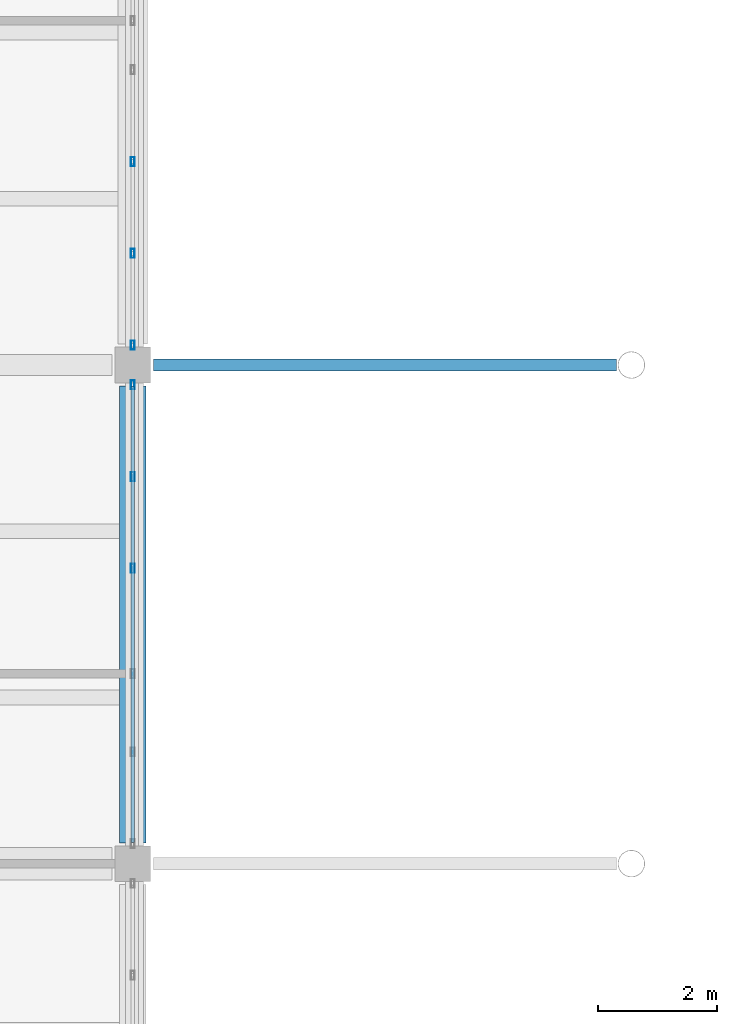
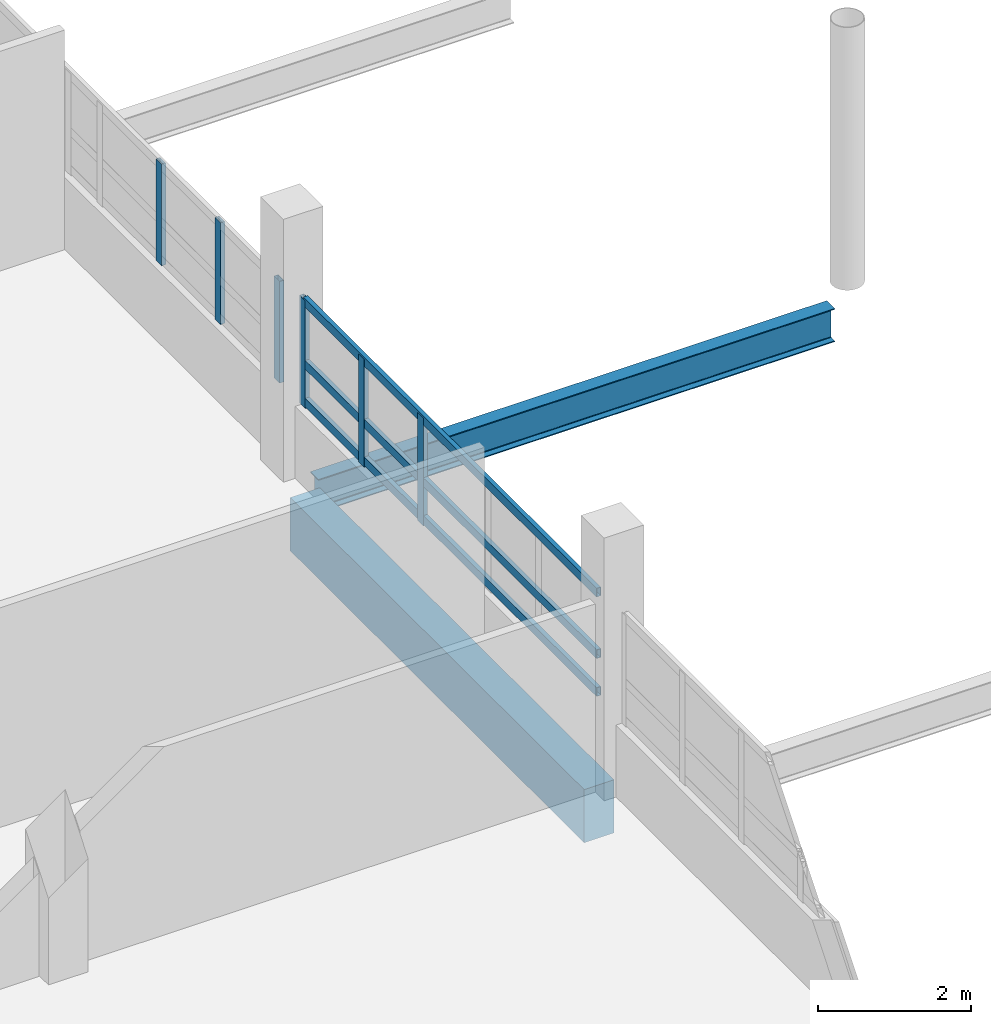
# One storey, part 45 of 101: 9 members, 2 beams, 2 elements without a shape of their own.
"""IFC4 building model written with IfcOpenShell, lengths in metres."""

import ifcopenshell
import ifcopenshell.guid

model = None  # the IFC model being written
_history = None  # IfcOwnerHistory: only IFC2X3 demands one
_inside = {}  # id of a spatial element -> (the spatial element, [elements in it])
_under = {}  # id of a project, library or spatial element -> (it, [spatial elements below it])
_declared = {}  # id of a project -> (the project, [libraries it declares])
_typed = {}  # id of a type object -> (the type object, [elements of that type])
_made_of = {}  # id of a material, layer set ... -> (it, [elements and type objects made of it])


def new_model(schema):
    """Start an empty IFC model of exactly this schema.

    Asked for "IFC4X3", IfcOpenShell would pick the latest addendum, in which some entities
    have other attributes; the version numbers below select the first issue.
    IFC2X3 requires an IfcOwnerHistory on every rooted entity: one is made here for all.
    """
    global model, _history
    if schema == "IFC4X3":
        model = ifcopenshell.file(schema_version=(4, 3, 0, 0))
    else:
        model = ifcopenshell.file(schema=schema)
    _inside.clear()
    _under.clear()
    _declared.clear()
    _typed.clear()
    _made_of.clear()
    _history = None
    if model.schema == "IFC2X3":
        org = make("IfcOrganization", Name="unknown")
        user = make(
            "IfcPersonAndOrganization",
            ThePerson=make("IfcPerson", FamilyName="unknown"),
            TheOrganization=org,
        )
        app = make(
            "IfcApplication",
            ApplicationDeveloper=org,
            Version="unknown",
            ApplicationFullName="unknown",
            ApplicationIdentifier="unknown",
        )
        _history = make(
            "IfcOwnerHistory",
            OwningUser=user,
            OwningApplication=app,
            ChangeAction="ADDED",
            CreationDate=0,
        )
    return model


def make(cls, **values):
    """One entity of the class cls with the attributes given. An attribute that is None is left unset."""
    return model.create_entity(
        cls, **{name: value for name, value in values.items() if value is not None}
    )


def rooted(cls, **values):
    """An entity with a GlobalId (a new one), such as an element, a storey or a relation."""
    return make(cls, GlobalId=ifcopenshell.guid.new(), OwnerHistory=_history, **values)


def si_unit(unit_type, name, prefix=None):
    """IfcSIUnit, for example si_unit("LENGTHUNIT", "METRE", prefix="MILLI")."""
    return make("IfcSIUnit", UnitType=unit_type, Prefix=prefix, Name=name)


def assignment(units):
    """IfcUnitAssignment: the units of a project."""
    return None if units is None else make("IfcUnitAssignment", Units=units)


def point(xyz):
    """IfcCartesianPoint."""
    return None if xyz is None else make("IfcCartesianPoint", Coordinates=xyz)


def direction(xyz):
    """IfcDirection."""
    return None if xyz is None else make("IfcDirection", DirectionRatios=xyz)


def frame(location, z_axis=None, x_axis=None):
    """IfcAxis2Placement3D, a coordinate frame: its origin and axes. An axis left out is left unset."""
    return make(
        "IfcAxis2Placement3D",
        Location=point(location),
        Axis=direction(z_axis),
        RefDirection=direction(x_axis),
    )


def frame_2d(location, x_axis=None):
    """IfcAxis2Placement2D, a coordinate frame in the plane: its origin and x axis."""
    return make(
        "IfcAxis2Placement2D", Location=point(location), RefDirection=direction(x_axis)
    )


def origin():
    """The frame at (0, 0, 0) with its axes left unset."""
    return frame((0.0, 0.0, 0.0))


def origin_2d():
    """The frame at (0, 0) in the plane with its x axis left unset."""
    return frame_2d((0.0, 0.0))


def place(relative_to, where):
    """IfcLocalPlacement: puts the frame where relative to a parent placement (None: the world)."""
    return make(
        "IfcLocalPlacement", PlacementRelTo=relative_to, RelativePlacement=where
    )


def context(
    kind, dimensions, precision=None, world=None, true_north=None, identifier=None
):
    """IfcGeometricRepresentationContext, for example the 3D "Model" context."""
    return make(
        "IfcGeometricRepresentationContext",
        ContextIdentifier=identifier,
        ContextType=kind,
        CoordinateSpaceDimension=dimensions,
        Precision=precision,
        WorldCoordinateSystem=world,
        TrueNorth=true_north,
    )


def subcontext(parent, identifier, kind, view, scale=None):
    """IfcGeometricRepresentationSubContext, for example "Body" below "Model"."""
    return make(
        "IfcGeometricRepresentationSubContext",
        ContextIdentifier=identifier,
        ContextType=kind,
        ParentContext=parent,
        TargetScale=scale,
        TargetView=view,
    )


def project(units=None, contexts=None):
    """IfcProject with its units and contexts."""
    return rooted(
        "IfcProject",
        Name="project",
        RepresentationContexts=contexts,
        UnitsInContext=assignment(units),
    )


def spatial(cls, under=None, at=None, **own):
    """A site, building, storey or space (cls), placed at a placement, below another one or the project."""
    s = rooted(cls, ObjectPlacement=at, **own)
    if under is not None:
        _under.setdefault(under.id(), (under, []))[1].append(s)
    return s


def profile(cls, at=None, kind="AREA", **sizes):
    """A parametric profile (cls). Its sizes go by their IFC names, for example OverallWidth=200.0."""
    return make(cls, ProfileType=kind, Position=at, **sizes)


def rectangle(**sizes):
    """IfcRectangleProfileDef."""
    return profile("IfcRectangleProfileDef", **sizes)


def hollow_rectangle(**sizes):
    """IfcRectangleHollowProfileDef."""
    return profile("IfcRectangleHollowProfileDef", **sizes)


def i_section(**sizes):
    """IfcIShapeProfileDef."""
    return profile("IfcIShapeProfileDef", **sizes)


def extrude(swept, where, along, depth):
    """IfcExtrudedAreaSolid: the profile swept, set in the frame where, extruded along a direction by depth."""
    return make(
        "IfcExtrudedAreaSolid",
        SweptArea=swept,
        Position=where,
        ExtrudedDirection=direction(along),
        Depth=depth,
    )


def shape(context_of_items, identifier, shape_type, items):
    """IfcShapeRepresentation: the items that make up one representation, for example the "Body"."""
    return make(
        "IfcShapeRepresentation",
        ContextOfItems=context_of_items,
        RepresentationIdentifier=identifier,
        RepresentationType=shape_type,
        Items=items,
    )


def material(Name=None, Category=None):
    """IfcMaterial."""
    return make("IfcMaterial", Name=Name, Category=Category)


def layer(
    of_material, thickness, ventilated=None, Name=None, Category=None, Priority=None
):
    """IfcMaterialLayer: one layer of a wall or slab, of a material (None: an air gap)."""
    return make(
        "IfcMaterialLayer",
        Material=of_material,
        LayerThickness=thickness,
        IsVentilated=ventilated,
        Name=Name,
        Category=Category,
        Priority=Priority,
    )


def layer_set(layers, Name=None):
    """IfcMaterialLayerSet."""
    return make("IfcMaterialLayerSet", MaterialLayers=layers, LayerSetName=Name)


def material_profile(
    of_material, cross_section, Name=None, Category=None, Priority=None
):
    """IfcMaterialProfile: a cross section and its material."""
    return make(
        "IfcMaterialProfile",
        Name=Name,
        Material=of_material,
        Profile=cross_section,
        Priority=Priority,
        Category=Category,
    )


def profile_set(profiles, Name=None, composite=None):
    """IfcMaterialProfileSet."""
    return make(
        "IfcMaterialProfileSet",
        Name=Name,
        MaterialProfiles=profiles,
        CompositeProfile=composite,
    )


def made_of(thing, what):
    """Note that an element or type object is made of a material, layer set ...; save() writes the relation."""
    if what is not None:
        _made_of.setdefault(what.id(), (what, []))[1].append(thing)
    return thing


def type_object(cls, material=None, **own):
    """A type object (cls), such as IfcWallType, which elements share."""
    return made_of(rooted(cls, **own), material)


def element(
    cls,
    number,
    at=None,
    inside=None,
    cuts=None,
    type_object=None,
    material=None,
    context=None,
    identifier="Body",
    shape_type=None,
    held_by="IfcProductDefinitionShape",
    body=None,
    shapes=None,
    **own,
):
    """One element of the class cls, such as IfcWall. Its Tag is "e" and its number.

    at: its placement. inside: the storey or other place that contains it. cuts: it is an
    opening in that element (IfcRelVoidsElement). A single representation is given by context,
    identifier, shape_type and body (its items); several are given by shapes. held_by: the class
    of the entity that holds the representations. save() writes the other relations.
    """
    e = rooted(cls, Tag="e%d" % number, ObjectPlacement=at, **own)
    if body is not None:
        shapes = [shape(context, identifier, shape_type, body)]
    if shapes is not None:
        e.Representation = make(held_by, Representations=shapes)
    if inside is not None:
        _inside.setdefault(inside.id(), (inside, []))[1].append(e)
    if cuts is not None:
        rooted(
            "IfcRelVoidsElement", RelatingBuildingElement=cuts, RelatedOpeningElement=e
        )
    if type_object is not None:
        _typed.setdefault(type_object.id(), (type_object, []))[1].append(e)
    return made_of(e, material)


def aggregate(whole, parts):
    """IfcRelAggregates: a whole, such as a stair, and the parts it consists of."""
    return rooted("IfcRelAggregates", RelatingObject=whole, RelatedObjects=parts)


def save(model, path):
    """Write the relations noted so far, then the file.

    IfcRelAggregates (storeys below a building ...), IfcRelContainedInSpatialStructure (elements
    in a storey), IfcRelDefinesByType, IfcRelAssociatesMaterial and IfcRelDeclares: one each for
    every whole, place, type object, material and project.
    """
    for whole, parts in _under.values():
        aggregate(whole, parts)
    for where, things in _inside.values():
        rooted(
            "IfcRelContainedInSpatialStructure",
            RelatedElements=things,
            RelatingStructure=where,
        )
    for kind, things in _typed.values():
        rooted("IfcRelDefinesByType", RelatedObjects=things, RelatingType=kind)
    for what, things in _made_of.values():
        rooted("IfcRelAssociatesMaterial", RelatedObjects=things, RelatingMaterial=what)
    for by, libraries in _declared.values():
        rooted("IfcRelDeclares", RelatingContext=by, RelatedDefinitions=libraries)
    model.write(path)


model = new_model("IFC4")

# Units and contexts
model_context = context("Model", 3, precision=1e-05, world=origin(), true_north=direction((0.0, 1.0)))
body_context = subcontext(model_context, "Body", "Model", "MODEL_VIEW")
ifc_project = project(units=[si_unit("LENGTHUNIT", "METRE"), si_unit("AREAUNIT", "SQUARE_METRE"), si_unit("VOLUMEUNIT", "CUBIC_METRE"), si_unit("PLANEANGLEUNIT", "RADIAN"), si_unit("MASSUNIT", "GRAM", prefix="KILO")], contexts=[model_context])

# Site, building, storey
site_placement = place(None, origin())
site = spatial("IfcSite", under=ifc_project, at=site_placement, CompositionType="ELEMENT")
building_placement = place(site_placement, origin())
building = spatial("IfcBuilding", under=site, at=building_placement, Name="Vireocrest Preparatory School", CompositionType="ELEMENT")
storey_placement = place(building_placement, frame((0.0, 0.0, 4.800048828125)))
storey = spatial("IfcBuildingStorey", under=building, at=storey_placement, Name="L01", CompositionType="ELEMENT", Elevation=4.800048828125)

# Curtain wall, members
ifc_material_1 = material(Name="Thermally broken aluminium EN AW-6063-T6", Category="aluminium")
ifc_layer = layer(ifc_material_1, 0.179931640625)
ifc_layer_set = layer_set([ifc_layer], Name="Thermally broken aluminium EN AW-6063-T6")
curtain_wall_type = type_object("IfcCurtainWallType", Name="Court Banded Curtain Wall 8400x3000", PredefinedType="USERDEFINED", material=ifc_layer_set)
curtain_wall_1_placement = place(storey_placement, origin())
curtain_wall_1 = element("IfcCurtainWall", 1, at=curtain_wall_1_placement, inside=storey, type_object=curtain_wall_type, Name="Curtain Wall CW02 CW_L01_CW02_0672_0609_060", ObjectType="CURTAIN WALL", PredefinedType="USERDEFINED")
ifc_material_profile_1 = material_profile(ifc_material_1, hollow_rectangle(XDim=0.06494140625, YDim=0.14990234375, WallThickness=0.00390625, at=origin_2d()), Name="ALU 65x150x4")
ifc_profile_set_1 = profile_set([ifc_material_profile_1], Name="Thermally broken aluminium EN AW-6063-T6")
member_type_1 = type_object("IfcMemberType", Name="CW Mullion 65x150x4", PredefinedType="MULLION", material=ifc_profile_set_1)
member_1_placement = place(storey_placement, frame((67.199951171875, 65.572998046875, 1.14990234375), z_axis=(0.0, 0.0, 1.0), x_axis=(1.0, 0.0, 0.0)))
member_1 = element("IfcMember", 2, at=member_1_placement, type_object=member_type_1, Name="CW Mullion ML1 CW_L01_CW02_0672_0609_060-4", PredefinedType="MULLION", context=body_context, shape_type="SweptSolid", body=[
    extrude(hollow_rectangle(XDim=0.06494140625, YDim=0.14990234375, WallThickness=0.00390625, at=origin_2d()), origin(), (0.0, 0.0, 1.0), 1.72509765625),
])
member_2_placement = place(storey_placement, frame((67.199951171875, 67.118896484375, 1.14990234375), z_axis=(0.0, 0.0, 1.0), x_axis=(1.0, 0.0, 0.0)))
member_2 = element("IfcMember", 3, at=member_2_placement, type_object=member_type_1, Name="CW Mullion ML1 CW_L01_CW02_0672_0609_060-5", PredefinedType="MULLION", context=body_context, shape_type="SweptSolid", body=[
    extrude(hollow_rectangle(XDim=0.06494140625, YDim=0.14990234375, WallThickness=0.00390625, at=origin_2d()), origin(), (0.0, 0.0, 1.0), 1.72509765625),
])
member_3_placement = place(storey_placement, frame((67.199951171875, 68.6650390625, 1.14990234375), z_axis=(0.0, 0.0, 1.0), x_axis=(1.0, 0.0, 0.0)))
member_3 = element("IfcMember", 4, at=member_3_placement, type_object=member_type_1, Name="CW Mullion ML1 CW_L01_CW02_0672_0609_060-6", PredefinedType="MULLION", context=body_context, shape_type="SweptSolid", body=[
    extrude(hollow_rectangle(XDim=0.06494140625, YDim=0.14990234375, WallThickness=0.00390625, at=origin_2d()), origin(), (0.0, 0.0, 1.0), 1.72509765625),
])

curtain_wall_2_placement = place(storey_placement, origin())
curtain_wall_2 = element("IfcCurtainWall", 5, at=curtain_wall_2_placement, inside=storey, type_object=curtain_wall_type, Name="Curtain Wall CW02 CW_L01_CW02_0672_0693_060", ObjectType="CURTAIN WALL", PredefinedType="USERDEFINED")
member_4_placement = place(storey_placement, frame((67.199951171875, 69.3349609375, 1.14990234375), z_axis=(0.0, 0.0, 1.0), x_axis=(1.0, 0.0, 0.0)))
member_4 = element("IfcMember", 6, at=member_4_placement, type_object=member_type_1, Name="CW Mullion ML1 CW_L01_CW02_0672_0693_060-1", PredefinedType="MULLION", context=body_context, shape_type="SweptSolid", body=[
    extrude(hollow_rectangle(XDim=0.06494140625, YDim=0.14990234375, WallThickness=0.00390625, at=origin_2d()), origin(), (0.0, 0.0, 1.0), 1.625),
])
member_5_placement = place(storey_placement, frame((67.199951171875, 70.881103515625, 1.14990234375), z_axis=(0.0, 0.0, 1.0), x_axis=(1.0, 0.0, 0.0)))
member_5 = element("IfcMember", 7, at=member_5_placement, type_object=member_type_1, Name="CW Mullion ML1 CW_L01_CW02_0672_0693_060-2", PredefinedType="MULLION", context=body_context, shape_type="SweptSolid", body=[
    extrude(hollow_rectangle(XDim=0.06494140625, YDim=0.14990234375, WallThickness=0.00390625, at=origin_2d()), origin(), (0.0, 0.0, 1.0), 1.625),
])
member_6_placement = place(storey_placement, frame((67.199951171875, 72.427001953125, 1.14990234375), z_axis=(0.0, 0.0, 1.0), x_axis=(1.0, 0.0, 0.0)))
member_6 = element("IfcMember", 8, at=member_6_placement, type_object=member_type_1, Name="CW Mullion ML1 CW_L01_CW02_0672_0693_060-3", PredefinedType="MULLION", context=body_context, shape_type="SweptSolid", body=[
    extrude(hollow_rectangle(XDim=0.06494140625, YDim=0.14990234375, WallThickness=0.00390625, at=origin_2d()), origin(), (0.0, 0.0, 1.0), 1.625),
])
aggregate(curtain_wall_2, [member_4, member_5, member_6])

# Member
ifc_material_profile_2 = material_profile(ifc_material_1, hollow_rectangle(XDim=0.06494140625, YDim=0.139892578125, WallThickness=0.00390625, at=origin_2d()), Name="ALU 65x140x4")
ifc_profile_set_2 = profile_set([ifc_material_profile_2], Name="Thermally broken aluminium EN AW-6063-T6")
member_type_2 = type_object("IfcMemberType", Name="CW Transom 65x140x4", PredefinedType="USERDEFINED", material=ifc_profile_set_2)
member_7_placement = place(storey_placement, frame((67.199951171875, 60.9599609375, 1.244873046875), z_axis=(0.0, 1.0, 0.0), x_axis=(-1.0, 0.0, 0.0)))
member_7 = element("IfcMember", 9, at=member_7_placement, type_object=member_type_2, Name="CW Transom TR1 CW_L01_CW02_0672_0609_060-1", ObjectType="TRANSOM", PredefinedType="USERDEFINED", context=body_context, shape_type="SweptSolid", body=[
    extrude(hollow_rectangle(XDim=0.06494140625, YDim=0.139892578125, WallThickness=0.00390625, at=origin_2d()), origin(), (0.0, 0.0, 1.0), 7.679931640625),
])

member_8_placement = place(storey_placement, frame((67.199951171875, 60.9599609375, 1.849853515625), z_axis=(0.0, 1.0, 0.0), x_axis=(-1.0, 0.0, 0.0)))
member_8 = element("IfcMember", 10, at=member_8_placement, type_object=member_type_2, Name="CW Transom TR1 CW_L01_CW02_0672_0609_060-2", ObjectType="TRANSOM", PredefinedType="USERDEFINED", context=body_context, shape_type="SweptSolid", body=[
    extrude(hollow_rectangle(XDim=0.06494140625, YDim=0.139892578125, WallThickness=0.00390625, at=origin_2d()), origin(), (0.0, 0.0, 1.0), 7.679931640625),
])

member_9_placement = place(storey_placement, frame((67.199951171875, 60.9599609375, 2.8349609375), z_axis=(0.0, 1.0, 0.0), x_axis=(-1.0, 0.0, 0.0)))
member_9 = element("IfcMember", 11, at=member_9_placement, type_object=member_type_2, Name="CW Transom TR1 CW_L01_CW02_0672_0609_060-3", ObjectType="TRANSOM", PredefinedType="USERDEFINED", context=body_context, shape_type="SweptSolid", body=[
    extrude(hollow_rectangle(XDim=0.06494140625, YDim=0.139892578125, WallThickness=0.00390625, at=origin_2d()), origin(), (0.0, 0.0, 1.0), 7.679931640625),
])

aggregate(curtain_wall_1, [member_1, member_2, member_3, member_7, member_8, member_9])

# Beams
ifc_material_2 = material(Name="Structural steel ASTM A992 Grade 50", Category="steel")
ifc_material_profile_3 = material_profile(ifc_material_2, i_section(OverallWidth=0.208984375, OverallDepth=0.532958984375, WebThickness=0.01025390625, FlangeThickness=0.015625, FilletRadius=0.014892578125, at=origin_2d()), Name="W21X62")
ifc_profile_set_3 = profile_set([ifc_material_profile_3], Name="Structural steel ASTM A992 Grade 50")
beam_type_1 = type_object("IfcBeamType", Name="Court Tie Girder W21X62", PredefinedType="BEAM", material=ifc_profile_set_3)
beam_1_placement = place(storey_placement, frame((67.544921875, 69.0, -0.566650390625), z_axis=(1.0, 0.0, 0.0), x_axis=(0.0, 1.0, 0.0)))
element("IfcBeam", 12, at=beam_1_placement, inside=storey, type_object=beam_type_1, Name="Court Trunk Lateral Tie Girder SB5 W6 L01", PredefinedType="BEAM", context=body_context, shape_type="SweptSolid", body=[
    extrude(i_section(OverallWidth=0.208984375, OverallDepth=0.532958984375, WebThickness=0.01025390625, FlangeThickness=0.015625, FilletRadius=0.014892578125, at=origin_2d()), origin(), (0.0, 0.0, 1.0), 7.80615234375),
])
ifc_material_3 = material(Name="Concrete 40 MPa", Category="concrete")
ifc_material_profile_4 = material_profile(ifc_material_3, rectangle(XDim=0.449951171875, YDim=0.85009765625, at=origin_2d()), Name="RC 450x850")
ifc_profile_set_4 = profile_set([ifc_material_profile_4], Name="Concrete 40 MPa")
beam_type_2 = type_object("IfcBeamType", Name="RC Heavy Floor Girder 450x850", PredefinedType="BEAM", material=ifc_profile_set_4)
beam_2_placement = place(storey_placement, frame((67.199951171875, 60.949951171875, -0.6650390625), z_axis=(0.0, 1.0, 0.0), x_axis=(-1.0, 0.0, 0.0)))
element("IfcBeam", 13, at=beam_2_placement, inside=storey, type_object=beam_type_2, Name="Primary Girder B13 L01-0420", PredefinedType="BEAM", context=body_context, shape_type="SweptSolid", body=[
    extrude(rectangle(XDim=0.449951171875, YDim=0.85009765625, at=origin_2d()), origin(), (0.0, 0.0, 1.0), 7.699951171875),
])

save(model, "model.ifc")
